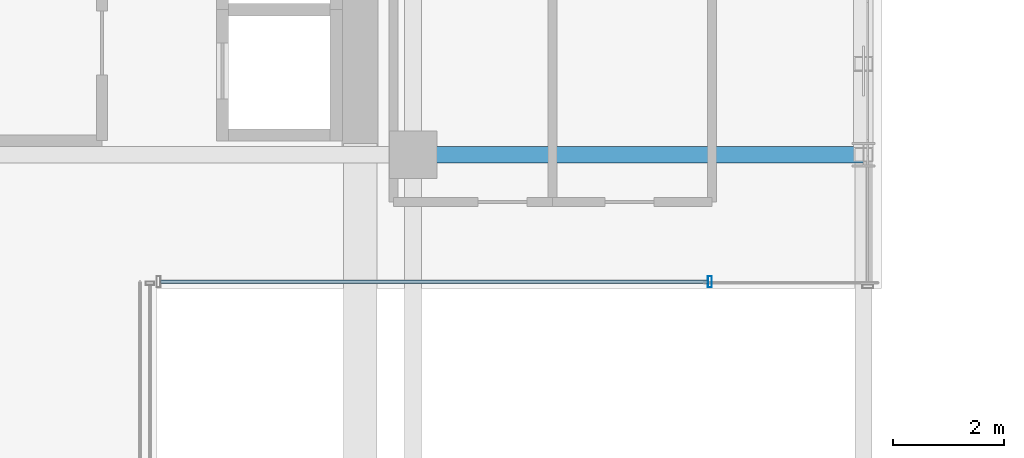
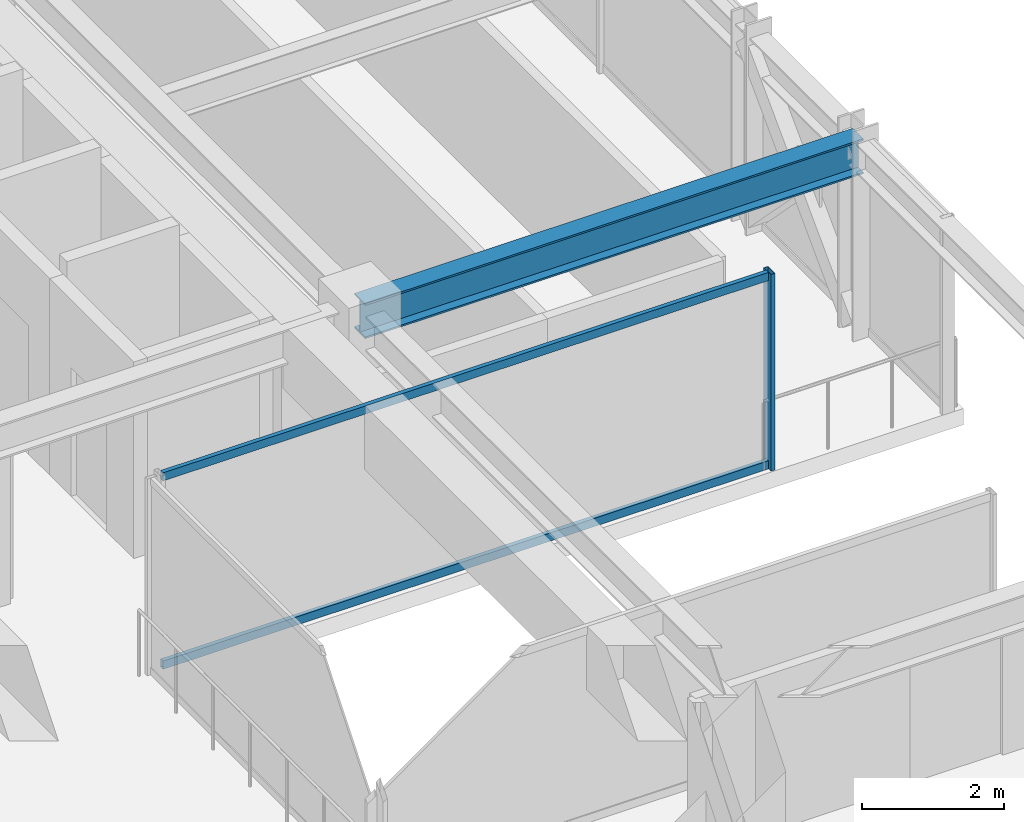
# One storey, part 22 of 47: 3 members, 1 beam, 1 element without a shape of its own.
"""IFC4 building model written with IfcOpenShell, lengths in metres."""

from ifc_helpers import new_model, si_unit, direction, frame, origin, origin_2d, place, context, subcontext, project, spatial, hollow_rectangle, i_section, extrude, source, transform, mapped, material, material_profile, profile_set, type_object, element, aggregate, save


model = new_model("IFC4")

# Units and contexts
model_context = context("Model", 3, precision=1e-05, world=origin(), true_north=direction((0.0, 1.0)))
body_context = subcontext(model_context, "Body", "Model", "MODEL_VIEW")
ifc_project = project(units=[si_unit("LENGTHUNIT", "METRE"), si_unit("AREAUNIT", "SQUARE_METRE"), si_unit("VOLUMEUNIT", "CUBIC_METRE"), si_unit("PLANEANGLEUNIT", "RADIAN"), si_unit("MASSUNIT", "GRAM", prefix="KILO")], contexts=[model_context])

# Site, building, storey
site_placement = place(None, origin())
site = spatial("IfcSite", under=ifc_project, at=site_placement, CompositionType="ELEMENT")
building_placement = place(site_placement, origin())
building = spatial("IfcBuilding", under=site, at=building_placement, Name="Nahalor Promenade Grand Hotel", CompositionType="ELEMENT")
storey_placement = place(building_placement, frame((0.0, 0.0, 68.89990234375)))
storey = spatial("IfcBuildingStorey", under=building, at=storey_placement, Name="L16", CompositionType="ELEMENT", Elevation=68.89990234375)

# Beam
ifc_material_1 = material(Name="Steel S355JR", Category="steel")
ifc_material_profile_1 = material_profile(ifc_material_1, i_section(OverallWidth=0.3, OverallDepth=0.6, WebThickness=0.0155, FlangeThickness=0.03, at=origin_2d()), Name="HEB 600")
ifc_profile_set_1 = profile_set([ifc_material_profile_1], Name="Steel S355JR")
beam_type = type_object("IfcBeamType", Name="Beam-Girder-HEB600", PredefinedType="BEAM", material=ifc_profile_set_1)
shared_shape_1 = source(origin(), body_context, "Body", "SweptSolid", [
    extrude(i_section(OverallWidth=0.3, OverallDepth=0.6, WebThickness=0.0155, FlangeThickness=0.03, at=origin_2d()), origin(), (0.0, 0.0, 1.0), 8.080078125),
])
beam_placement = place(storey_placement, frame((17.0, 5.39990234375, 3.070068359375), z_axis=(1.0, 0.0, 0.0), x_axis=(0.0, 1.0, 0.0)))
element("IfcBeam", 1, at=beam_placement, inside=storey, type_object=beam_type, Name="BM-L16-GX-2-6", PredefinedType="BEAM", context=body_context, shape_type="MappedRepresentation", body=[
    mapped(shared_shape_1, transform((0.0, 0.0, 0.0), scale=1.0)),
])

# Curtain wall, members
ifc_material_2 = material(Name="Anodised Bronze Aluminium EN AW-6063 T6", Category="aluminium")
curtain_wall_type = type_object("IfcCurtainWallType", Name="CW3 Elliptical-Void Collar Unitised Curtain Wall", PredefinedType="USERDEFINED", material=ifc_material_2)
curtain_wall_placement = place(storey_placement, origin())
curtain_wall = element("IfcCurtainWall", 2, at=curtain_wall_placement, inside=storey, type_object=curtain_wall_type, Name="L16 Curtain Wall CW-L16-VOID-EN1", ObjectType="UNITISED_CURTAIN_WALL", PredefinedType="USERDEFINED")
ifc_material_profile_2 = material_profile(ifc_material_2, hollow_rectangle(XDim=0.07, YDim=0.14, WallThickness=0.004, at=origin_2d()), Name="CWT 70x140x4")
ifc_profile_set_2 = profile_set([ifc_material_profile_2], Name="Anodised Bronze Aluminium EN AW-6063 T6")
member_type_1 = type_object("IfcMemberType", Name="CWT3 Void Collar Transom 70x140", PredefinedType="USERDEFINED", material=ifc_profile_set_2)
shared_shape_2 = source(origin(), body_context, "Body", "SweptSolid", [
    extrude(hollow_rectangle(XDim=0.07, YDim=0.14, WallThickness=0.004, at=origin_2d()), origin(), (0.0, 0.0, 1.0), 9.820068359375),
])
member_1_placement = place(storey_placement, frame((12.469970703125, 3.118896484375, 0.070068359375), z_axis=(1.0, 0.0, 0.0), x_axis=(0.0, 1.0, 0.0)))
member_1 = element("IfcMember", 3, at=member_1_placement, type_object=member_type_1, Name="CW-L16-VOID-EN1 Transom 0-0", ObjectType="TRANSOM", PredefinedType="USERDEFINED", context=body_context, shape_type="MappedRepresentation", body=[
    mapped(shared_shape_2, transform((0.0, 0.0, 0.0), scale=1.0)),
])
member_2_placement = place(storey_placement, frame((12.469970703125, 3.118896484375, 3.300048828125), z_axis=(1.0, 0.0, 0.0), x_axis=(0.0, 1.0, 0.0)))
member_2 = element("IfcMember", 4, at=member_2_placement, type_object=member_type_1, Name="CW-L16-VOID-EN1 Transom 0-1", ObjectType="TRANSOM", PredefinedType="USERDEFINED", context=body_context, shape_type="MappedRepresentation", body=[
    mapped(shared_shape_2, transform((0.0, 0.0, 0.0), scale=1.0)),
])
ifc_material_profile_3 = material_profile(ifc_material_2, hollow_rectangle(XDim=0.07, YDim=0.2, WallThickness=0.005, at=origin_2d()), Name="CWM 70x200x5")
ifc_profile_set_3 = profile_set([ifc_material_profile_3], Name="Anodised Bronze Aluminium EN AW-6063 T6")
member_type_2 = type_object("IfcMemberType", Name="CWM3 Void Collar Mullion 70x200", PredefinedType="MULLION", material=ifc_profile_set_3)
shared_shape_3 = source(origin(), body_context, "Body", "SweptSolid", [
    extrude(hollow_rectangle(XDim=0.07, YDim=0.2, WallThickness=0.005, at=origin_2d()), origin(), (0.0, 0.0, 1.0), 3.3701171875),
])
member_3_placement = place(storey_placement, frame((22.324951171875, 3.118896484375, 0.0), z_axis=(0.0, 0.0, 1.0), x_axis=(1.0, 0.0, 0.0)))
member_3 = element("IfcMember", 5, at=member_3_placement, type_object=member_type_2, Name="CW-L16-VOID-EN1 Mullion 1", PredefinedType="MULLION", context=body_context, shape_type="MappedRepresentation", body=[
    mapped(shared_shape_3, transform((0.0, 0.0, 0.0), scale=1.0)),
])
aggregate(curtain_wall, [member_3, member_1, member_2])

save(model, "model.ifc")
